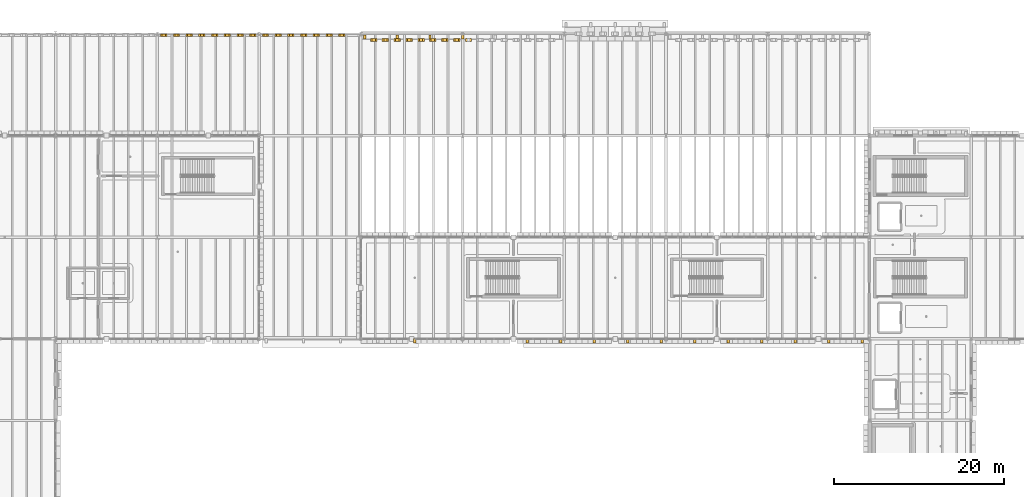
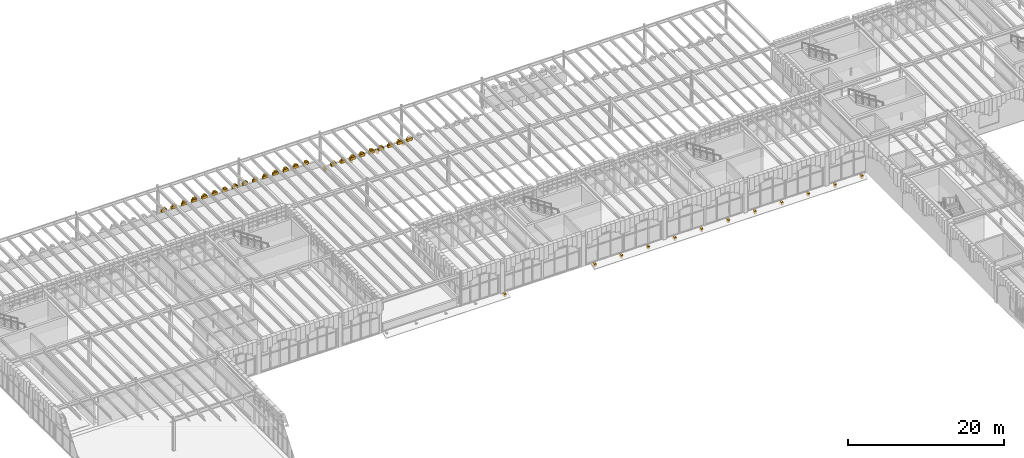
# One storey, part 98 of 100: 63 coverings.
"""IFC4 building model written with IfcOpenShell, lengths in metres."""

from ifc_helpers import new_model, si_unit, direction, frame, origin, place, context, subcontext, project, spatial, polyline, outline, extrude, material, layer, layer_set, type_object, element, save


model = new_model("IFC4")

# Units and contexts
model_context = context("Model", 3, precision=1e-05, world=origin(), true_north=direction((0.0, 1.0)))
body_context = subcontext(model_context, "Body", "Model", "MODEL_VIEW")
ifc_project = project(units=[si_unit("LENGTHUNIT", "METRE"), si_unit("AREAUNIT", "SQUARE_METRE"), si_unit("VOLUMEUNIT", "CUBIC_METRE"), si_unit("PLANEANGLEUNIT", "RADIAN"), si_unit("MASSUNIT", "GRAM", prefix="KILO")], contexts=[model_context])

# Site, building, storey
site_placement = place(None, origin())
site = spatial("IfcSite", under=ifc_project, at=site_placement, CompositionType="ELEMENT")
building_placement = place(site_placement, origin())
building = spatial("IfcBuilding", under=site, at=building_placement, Name="Zlatogorsky Bluff Art Gallery", CompositionType="ELEMENT")
storey_placement = place(building_placement, frame((0.0, 0.0, 5.39990234375)))
storey = spatial("IfcBuildingStorey", under=building, at=storey_placement, Name="L01", CompositionType="ELEMENT", Elevation=5.39990234375)

# Coverings
ifc_material = material(Name="Honed Red Agra-Tone Quartzitic Sandstone", Category="masonry")
ifc_layer = layer(ifc_material, 0.1201171875)
ifc_layer_set = layer_set([ifc_layer], Name="Carved Sandstone Cladding CLD-02")
covering_type = type_object("IfcCoveringType", Name="Carved Sandstone Cladding CLD-02", PredefinedType="CLADDING", material=ifc_layer_set)
covering_1_placement = place(storey_placement, frame((0.0, 0.0, -0.599853515625)))
element("IfcCovering", 1, at=covering_1_placement, inside=storey, type_object=covering_type, Name="Chhajja carved stone corbel CHJ-DALAN-W.1", PredefinedType="CLADDING", context=body_context, shape_type="SweptSolid", body=[
    extrude(outline(polyline([(60.31005859375, 119.360107421875), (60.590087890625, 119.360107421875), (60.590087890625, 119.860107421875), (60.31005859375, 119.860107421875), (60.31005859375, 119.360107421875)])), origin(), (0.0, 0.0, 1.0), 0.47998046875),
])
covering_2_placement = place(storey_placement, frame((0.0, 0.0, -0.599853515625)))
element("IfcCovering", 2, at=covering_2_placement, inside=storey, type_object=covering_type, Name="Chhajja carved stone corbel CHJ-DALAN-W.2", PredefinedType="CLADDING", context=body_context, shape_type="SweptSolid", body=[
    extrude(outline(polyline([(64.159912109375, 119.360107421875), (64.43994140625, 119.360107421875), (64.43994140625, 119.860107421875), (64.159912109375, 119.860107421875), (64.159912109375, 119.360107421875)])), origin(), (0.0, 0.0, 1.0), 0.47998046875),
])
covering_3_placement = place(storey_placement, frame((0.0, 0.0, -0.599853515625)))
element("IfcCovering", 3, at=covering_3_placement, inside=storey, type_object=covering_type, Name="Chhajja carved stone corbel CHJ-DALAN-W.3", PredefinedType="CLADDING", context=body_context, shape_type="SweptSolid", body=[
    extrude(outline(polyline([(68.010009765625, 119.360107421875), (68.2900390625, 119.360107421875), (68.2900390625, 119.860107421875), (68.010009765625, 119.860107421875), (68.010009765625, 119.360107421875)])), origin(), (0.0, 0.0, 1.0), 0.47998046875),
])
covering_4_placement = place(storey_placement, frame((0.0, 0.0, -0.599853515625)))
element("IfcCovering", 4, at=covering_4_placement, inside=storey, type_object=covering_type, Name="Chhajja carved stone corbel CHJ-DALAN-W.4", PredefinedType="CLADDING", context=body_context, shape_type="SweptSolid", body=[
    extrude(outline(polyline([(71.860107421875, 119.360107421875), (72.139892578125, 119.360107421875), (72.139892578125, 119.860107421875), (71.860107421875, 119.860107421875), (71.860107421875, 119.360107421875)])), origin(), (0.0, 0.0, 1.0), 0.47998046875),
])
covering_5_placement = place(storey_placement, frame((0.0, 0.0, -0.010009765625)))
element("IfcCovering", 5, at=covering_5_placement, inside=storey, type_object=covering_type, Name="Kangura stepped merlon base DALAN-W.1", PredefinedType="CLADDING", context=body_context, shape_type="SweptSolid", body=[
    extrude(outline(polyline([(61.1201171875, 119.080078125), (61.8798828125, 119.080078125), (61.8798828125, 119.419921875), (61.1201171875, 119.419921875), (61.1201171875, 119.080078125)])), origin(), (0.0, 0.0, 1.0), 0.41455078125),
])
covering_6_placement = place(storey_placement, frame((0.0, 0.0, 0.385986328125)))
element("IfcCovering", 6, at=covering_6_placement, inside=storey, type_object=covering_type, Name="Kangura pointed merlon finial DALAN-W.1", PredefinedType="CLADDING", context=body_context, shape_type="SweptSolid", body=[
    extrude(outline(polyline([(61.302490234375, 119.080078125), (61.697509765625, 119.080078125), (61.697509765625, 119.419921875), (61.302490234375, 119.419921875), (61.302490234375, 119.080078125)])), origin(), (0.0, 0.0, 1.0), 0.254150390625),
])
covering_7_placement = place(storey_placement, frame((0.0, 0.0, -0.010009765625)))
element("IfcCovering", 7, at=covering_7_placement, inside=storey, type_object=covering_type, Name="Kangura stepped merlon base DALAN-W.2", PredefinedType="CLADDING", context=body_context, shape_type="SweptSolid", body=[
    extrude(outline(polyline([(62.52001953125, 119.080078125), (63.280029296875, 119.080078125), (63.280029296875, 119.419921875), (62.52001953125, 119.419921875), (62.52001953125, 119.080078125)])), origin(), (0.0, 0.0, 1.0), 0.41455078125),
])
covering_8_placement = place(storey_placement, frame((0.0, 0.0, 0.385986328125)))
element("IfcCovering", 8, at=covering_8_placement, inside=storey, type_object=covering_type, Name="Kangura pointed merlon finial DALAN-W.2", PredefinedType="CLADDING", context=body_context, shape_type="SweptSolid", body=[
    extrude(outline(polyline([(62.702392578125, 119.080078125), (63.09765625, 119.080078125), (63.09765625, 119.419921875), (62.702392578125, 119.419921875), (62.702392578125, 119.080078125)])), origin(), (0.0, 0.0, 1.0), 0.254150390625),
])
covering_9_placement = place(storey_placement, frame((0.0, 0.0, -0.010009765625)))
element("IfcCovering", 9, at=covering_9_placement, inside=storey, type_object=covering_type, Name="Kangura stepped merlon base DALAN-W.3", PredefinedType="CLADDING", context=body_context, shape_type="SweptSolid", body=[
    extrude(outline(polyline([(63.919921875, 119.080078125), (64.679931640625, 119.080078125), (64.679931640625, 119.419921875), (63.919921875, 119.419921875), (63.919921875, 119.080078125)])), origin(), (0.0, 0.0, 1.0), 0.41455078125),
])
covering_10_placement = place(storey_placement, frame((0.0, 0.0, 0.385986328125)))
element("IfcCovering", 10, at=covering_10_placement, inside=storey, type_object=covering_type, Name="Kangura pointed merlon finial DALAN-W.3", PredefinedType="CLADDING", context=body_context, shape_type="SweptSolid", body=[
    extrude(outline(polyline([(64.102294921875, 119.080078125), (64.49755859375, 119.080078125), (64.49755859375, 119.419921875), (64.102294921875, 119.419921875), (64.102294921875, 119.080078125)])), origin(), (0.0, 0.0, 1.0), 0.254150390625),
])
covering_11_placement = place(storey_placement, frame((0.0, 0.0, -0.010009765625)))
element("IfcCovering", 11, at=covering_11_placement, inside=storey, type_object=covering_type, Name="Kangura stepped merlon base DALAN-W.4", PredefinedType="CLADDING", context=body_context, shape_type="SweptSolid", body=[
    extrude(outline(polyline([(65.320068359375, 119.080078125), (66.080078125, 119.080078125), (66.080078125, 119.419921875), (65.320068359375, 119.419921875), (65.320068359375, 119.080078125)])), origin(), (0.0, 0.0, 1.0), 0.41455078125),
])
covering_12_placement = place(storey_placement, frame((0.0, 0.0, 0.385986328125)))
element("IfcCovering", 12, at=covering_12_placement, inside=storey, type_object=covering_type, Name="Kangura pointed merlon finial DALAN-W.4", PredefinedType="CLADDING", context=body_context, shape_type="SweptSolid", body=[
    extrude(outline(polyline([(65.50244140625, 119.080078125), (65.897705078125, 119.080078125), (65.897705078125, 119.419921875), (65.50244140625, 119.419921875), (65.50244140625, 119.080078125)])), origin(), (0.0, 0.0, 1.0), 0.254150390625),
])
covering_13_placement = place(storey_placement, frame((0.0, 0.0, -0.010009765625)))
element("IfcCovering", 13, at=covering_13_placement, inside=storey, type_object=covering_type, Name="Kangura stepped merlon base DALAN-W.5", PredefinedType="CLADDING", context=body_context, shape_type="SweptSolid", body=[
    extrude(outline(polyline([(66.719970703125, 119.080078125), (67.47998046875, 119.080078125), (67.47998046875, 119.419921875), (66.719970703125, 119.419921875), (66.719970703125, 119.080078125)])), origin(), (0.0, 0.0, 1.0), 0.41455078125),
])
covering_14_placement = place(storey_placement, frame((0.0, 0.0, 0.385986328125)))
element("IfcCovering", 14, at=covering_14_placement, inside=storey, type_object=covering_type, Name="Kangura pointed merlon finial DALAN-W.5", PredefinedType="CLADDING", context=body_context, shape_type="SweptSolid", body=[
    extrude(outline(polyline([(66.90234375, 119.080078125), (67.297607421875, 119.080078125), (67.297607421875, 119.419921875), (66.90234375, 119.419921875), (66.90234375, 119.080078125)])), origin(), (0.0, 0.0, 1.0), 0.254150390625),
])
covering_15_placement = place(storey_placement, frame((0.0, 0.0, -0.010009765625)))
element("IfcCovering", 15, at=covering_15_placement, inside=storey, type_object=covering_type, Name="Kangura stepped merlon base DALAN-W.6", PredefinedType="CLADDING", context=body_context, shape_type="SweptSolid", body=[
    extrude(outline(polyline([(68.1201171875, 119.080078125), (68.8798828125, 119.080078125), (68.8798828125, 119.419921875), (68.1201171875, 119.419921875), (68.1201171875, 119.080078125)])), origin(), (0.0, 0.0, 1.0), 0.41455078125),
])
covering_16_placement = place(storey_placement, frame((0.0, 0.0, 0.385986328125)))
element("IfcCovering", 16, at=covering_16_placement, inside=storey, type_object=covering_type, Name="Kangura pointed merlon finial DALAN-W.6", PredefinedType="CLADDING", context=body_context, shape_type="SweptSolid", body=[
    extrude(outline(polyline([(68.302490234375, 119.080078125), (68.697509765625, 119.080078125), (68.697509765625, 119.419921875), (68.302490234375, 119.419921875), (68.302490234375, 119.080078125)])), origin(), (0.0, 0.0, 1.0), 0.254150390625),
])
covering_17_placement = place(storey_placement, frame((0.0, 0.0, -0.010009765625)))
element("IfcCovering", 17, at=covering_17_placement, inside=storey, type_object=covering_type, Name="Kangura stepped merlon base DALAN-W.7", PredefinedType="CLADDING", context=body_context, shape_type="SweptSolid", body=[
    extrude(outline(polyline([(69.52001953125, 119.080078125), (70.280029296875, 119.080078125), (70.280029296875, 119.419921875), (69.52001953125, 119.419921875), (69.52001953125, 119.080078125)])), origin(), (0.0, 0.0, 1.0), 0.41455078125),
])
covering_18_placement = place(storey_placement, frame((0.0, 0.0, 0.385986328125)))
element("IfcCovering", 18, at=covering_18_placement, inside=storey, type_object=covering_type, Name="Kangura pointed merlon finial DALAN-W.7", PredefinedType="CLADDING", context=body_context, shape_type="SweptSolid", body=[
    extrude(outline(polyline([(69.702392578125, 119.080078125), (70.09765625, 119.080078125), (70.09765625, 119.419921875), (69.702392578125, 119.419921875), (69.702392578125, 119.080078125)])), origin(), (0.0, 0.0, 1.0), 0.254150390625),
])
covering_19_placement = place(storey_placement, frame((0.0, 0.0, -0.010009765625)))
element("IfcCovering", 19, at=covering_19_placement, inside=storey, type_object=covering_type, Name="Kangura stepped merlon base DALAN-W.8", PredefinedType="CLADDING", context=body_context, shape_type="SweptSolid", body=[
    extrude(outline(polyline([(70.919921875, 119.080078125), (71.679931640625, 119.080078125), (71.679931640625, 119.419921875), (70.919921875, 119.419921875), (70.919921875, 119.080078125)])), origin(), (0.0, 0.0, 1.0), 0.41455078125),
])
covering_20_placement = place(storey_placement, frame((0.0, 0.0, 0.385986328125)))
element("IfcCovering", 20, at=covering_20_placement, inside=storey, type_object=covering_type, Name="Kangura pointed merlon finial DALAN-W.8", PredefinedType="CLADDING", context=body_context, shape_type="SweptSolid", body=[
    extrude(outline(polyline([(71.102294921875, 119.080078125), (71.49755859375, 119.080078125), (71.49755859375, 119.419921875), (71.102294921875, 119.419921875), (71.102294921875, 119.080078125)])), origin(), (0.0, 0.0, 1.0), 0.254150390625),
])
covering_21_placement = place(storey_placement, frame((0.0, 0.0, -0.010009765625)))
element("IfcCovering", 21, at=covering_21_placement, inside=storey, type_object=covering_type, Name="Kangura stepped merlon base DALAN-W.9", PredefinedType="CLADDING", context=body_context, shape_type="SweptSolid", body=[
    extrude(outline(polyline([(72.320068359375, 119.080078125), (73.080078125, 119.080078125), (73.080078125, 119.419921875), (72.320068359375, 119.419921875), (72.320068359375, 119.080078125)])), origin(), (0.0, 0.0, 1.0), 0.41455078125),
])
covering_22_placement = place(storey_placement, frame((0.0, 0.0, -0.599853515625)))
element("IfcCovering", 22, at=covering_22_placement, inside=storey, type_object=covering_type, Name="Chhajja carved stone corbel CHJ-COURT-W-L01.5", PredefinedType="CLADDING", context=body_context, shape_type="SweptSolid", body=[
    extrude(outline(polyline([(66.2099609375, 83.5400390625), (66.489990234375, 83.5400390625), (66.489990234375, 84.0400390625), (66.2099609375, 84.0400390625), (66.2099609375, 83.5400390625)])), origin(), (0.0, 0.0, 1.0), 0.47998046875),
])
covering_23_placement = place(storey_placement, frame((0.0, 0.0, -0.599853515625)))
element("IfcCovering", 23, at=covering_23_placement, inside=storey, type_object=covering_type, Name="Chhajja carved stone corbel CHJ-COURT-E-L01.1", PredefinedType="CLADDING", context=body_context, shape_type="SweptSolid", body=[
    extrude(outline(polyline([(79.510009765625, 83.5400390625), (79.7900390625, 83.5400390625), (79.7900390625, 84.0400390625), (79.510009765625, 84.0400390625), (79.510009765625, 83.5400390625)])), origin(), (0.0, 0.0, 1.0), 0.47998046875),
])
covering_24_placement = place(storey_placement, frame((0.0, 0.0, -0.599853515625)))
element("IfcCovering", 24, at=covering_24_placement, inside=storey, type_object=covering_type, Name="Chhajja carved stone corbel CHJ-COURT-E-L01.2", PredefinedType="CLADDING", context=body_context, shape_type="SweptSolid", body=[
    extrude(outline(polyline([(83.4599609375, 83.5400390625), (83.739990234375, 83.5400390625), (83.739990234375, 84.0400390625), (83.4599609375, 84.0400390625), (83.4599609375, 83.5400390625)])), origin(), (0.0, 0.0, 1.0), 0.47998046875),
])
covering_25_placement = place(storey_placement, frame((0.0, 0.0, -0.599853515625)))
element("IfcCovering", 25, at=covering_25_placement, inside=storey, type_object=covering_type, Name="Chhajja carved stone corbel CHJ-COURT-E-L01.3", PredefinedType="CLADDING", context=body_context, shape_type="SweptSolid", body=[
    extrude(outline(polyline([(87.409912109375, 83.5400390625), (87.68994140625, 83.5400390625), (87.68994140625, 84.0400390625), (87.409912109375, 84.0400390625), (87.409912109375, 83.5400390625)])), origin(), (0.0, 0.0, 1.0), 0.47998046875),
])
covering_26_placement = place(storey_placement, frame((0.0, 0.0, -0.599853515625)))
element("IfcCovering", 26, at=covering_26_placement, inside=storey, type_object=covering_type, Name="Chhajja carved stone corbel CHJ-COURT-E-L01.4", PredefinedType="CLADDING", context=body_context, shape_type="SweptSolid", body=[
    extrude(outline(polyline([(91.360107421875, 83.5400390625), (91.639892578125, 83.5400390625), (91.639892578125, 84.0400390625), (91.360107421875, 84.0400390625), (91.360107421875, 83.5400390625)])), origin(), (0.0, 0.0, 1.0), 0.47998046875),
])
covering_27_placement = place(storey_placement, frame((0.0, 0.0, -0.599853515625)))
element("IfcCovering", 27, at=covering_27_placement, inside=storey, type_object=covering_type, Name="Chhajja carved stone corbel CHJ-COURT-E-L01.5", PredefinedType="CLADDING", context=body_context, shape_type="SweptSolid", body=[
    extrude(outline(polyline([(95.31005859375, 83.5400390625), (95.590087890625, 83.5400390625), (95.590087890625, 84.0400390625), (95.31005859375, 84.0400390625), (95.31005859375, 83.5400390625)])), origin(), (0.0, 0.0, 1.0), 0.47998046875),
])
covering_28_placement = place(storey_placement, frame((0.0, 0.0, -0.599853515625)))
element("IfcCovering", 28, at=covering_28_placement, inside=storey, type_object=covering_type, Name="Chhajja carved stone corbel CHJ-COURT-E-L01.6", PredefinedType="CLADDING", context=body_context, shape_type="SweptSolid", body=[
    extrude(outline(polyline([(99.260009765625, 83.5400390625), (99.5400390625, 83.5400390625), (99.5400390625, 84.0400390625), (99.260009765625, 84.0400390625), (99.260009765625, 83.5400390625)])), origin(), (0.0, 0.0, 1.0), 0.47998046875),
])
covering_29_placement = place(storey_placement, frame((0.0, 0.0, -0.599853515625)))
element("IfcCovering", 29, at=covering_29_placement, inside=storey, type_object=covering_type, Name="Chhajja carved stone corbel CHJ-COURT-E-L01.7", PredefinedType="CLADDING", context=body_context, shape_type="SweptSolid", body=[
    extrude(outline(polyline([(103.2099609375, 83.5400390625), (103.489990234375, 83.5400390625), (103.489990234375, 84.0400390625), (103.2099609375, 84.0400390625), (103.2099609375, 83.5400390625)])), origin(), (0.0, 0.0, 1.0), 0.47998046875),
])
covering_30_placement = place(storey_placement, frame((0.0, 0.0, -0.599853515625)))
element("IfcCovering", 30, at=covering_30_placement, inside=storey, type_object=covering_type, Name="Chhajja carved stone corbel CHJ-COURT-E-L01.8", PredefinedType="CLADDING", context=body_context, shape_type="SweptSolid", body=[
    extrude(outline(polyline([(107.159912109375, 83.5400390625), (107.43994140625, 83.5400390625), (107.43994140625, 84.0400390625), (107.159912109375, 84.0400390625), (107.159912109375, 83.5400390625)])), origin(), (0.0, 0.0, 1.0), 0.47998046875),
])
covering_31_placement = place(storey_placement, frame((0.0, 0.0, -0.599853515625)))
element("IfcCovering", 31, at=covering_31_placement, inside=storey, type_object=covering_type, Name="Chhajja carved stone corbel CHJ-COURT-E-L01.9", PredefinedType="CLADDING", context=body_context, shape_type="SweptSolid", body=[
    extrude(outline(polyline([(111.110107421875, 83.5400390625), (111.389892578125, 83.5400390625), (111.389892578125, 84.0400390625), (111.110107421875, 84.0400390625), (111.110107421875, 83.5400390625)])), origin(), (0.0, 0.0, 1.0), 0.47998046875),
])
covering_32_placement = place(storey_placement, frame((0.0, 0.0, -0.599853515625)))
element("IfcCovering", 32, at=covering_32_placement, inside=storey, type_object=covering_type, Name="Chhajja carved stone corbel CHJ-COURT-E-L01.10", PredefinedType="CLADDING", context=body_context, shape_type="SweptSolid", body=[
    extrude(outline(polyline([(115.06005859375, 83.5400390625), (115.340087890625, 83.5400390625), (115.340087890625, 84.0400390625), (115.06005859375, 84.0400390625), (115.06005859375, 83.5400390625)])), origin(), (0.0, 0.0, 1.0), 0.47998046875),
])
covering_33_placement = place(storey_placement, frame((0.0, 0.0, -0.599853515625)))
element("IfcCovering", 33, at=covering_33_placement, inside=storey, type_object=covering_type, Name="Chhajja carved stone corbel CHJ-COURT-E-L01.11", PredefinedType="CLADDING", context=body_context, shape_type="SweptSolid", body=[
    extrude(outline(polyline([(119.010009765625, 83.5400390625), (119.2900390625, 83.5400390625), (119.2900390625, 84.0400390625), (119.010009765625, 84.0400390625), (119.010009765625, 83.5400390625)])), origin(), (0.0, 0.0, 1.0), 0.47998046875),
])
covering_34_placement = place(storey_placement, frame((0.0, 0.0, 1.1201171875)))
element("IfcCovering", 34, at=covering_34_placement, inside=storey, type_object=covering_type, Name="Kangura stepped merlon base PAR-RF-L01-01-4.24", PredefinedType="CLADDING", context=body_context, shape_type="SweptSolid", body=[
    extrude(outline(polyline([(36.3701171875, 119.699951171875), (37.1298828125, 119.699951171875), (37.1298828125, 119.97998046875), (36.3701171875, 119.97998046875), (36.3701171875, 119.699951171875)])), origin(), (0.0, 0.0, 1.0), 0.3896484375),
])
covering_35_placement = place(storey_placement, frame((0.0, 0.0, 1.4921875)))
element("IfcCovering", 35, at=covering_35_placement, inside=storey, type_object=covering_type, Name="Kangura pointed merlon finial PAR-RF-L01-01-4.24", PredefinedType="CLADDING", context=body_context, shape_type="SweptSolid", body=[
    extrude(outline(polyline([(36.552490234375, 119.699951171875), (36.947509765625, 119.699951171875), (36.947509765625, 119.97998046875), (36.552490234375, 119.97998046875), (36.552490234375, 119.699951171875)])), origin(), (0.0, 0.0, 1.0), 0.23779296875),
])
covering_36_placement = place(storey_placement, frame((0.0, 0.0, 1.1201171875)))
element("IfcCovering", 36, at=covering_36_placement, inside=storey, type_object=covering_type, Name="Kangura stepped merlon base PAR-RF-L01-01-4.25", PredefinedType="CLADDING", context=body_context, shape_type="SweptSolid", body=[
    extrude(outline(polyline([(37.8701171875, 119.699951171875), (38.6298828125, 119.699951171875), (38.6298828125, 119.97998046875), (37.8701171875, 119.97998046875), (37.8701171875, 119.699951171875)])), origin(), (0.0, 0.0, 1.0), 0.3896484375),
])
covering_37_placement = place(storey_placement, frame((0.0, 0.0, 1.4921875)))
element("IfcCovering", 37, at=covering_37_placement, inside=storey, type_object=covering_type, Name="Kangura pointed merlon finial PAR-RF-L01-01-4.25", PredefinedType="CLADDING", context=body_context, shape_type="SweptSolid", body=[
    extrude(outline(polyline([(38.052490234375, 119.699951171875), (38.447509765625, 119.699951171875), (38.447509765625, 119.97998046875), (38.052490234375, 119.97998046875), (38.052490234375, 119.699951171875)])), origin(), (0.0, 0.0, 1.0), 0.23779296875),
])
covering_38_placement = place(storey_placement, frame((0.0, 0.0, 1.1201171875)))
element("IfcCovering", 38, at=covering_38_placement, inside=storey, type_object=covering_type, Name="Kangura stepped merlon base PAR-RF-L01-01-4.26", PredefinedType="CLADDING", context=body_context, shape_type="SweptSolid", body=[
    extrude(outline(polyline([(39.3701171875, 119.699951171875), (40.1298828125, 119.699951171875), (40.1298828125, 119.97998046875), (39.3701171875, 119.97998046875), (39.3701171875, 119.699951171875)])), origin(), (0.0, 0.0, 1.0), 0.3896484375),
])
covering_39_placement = place(storey_placement, frame((0.0, 0.0, 1.4921875)))
element("IfcCovering", 39, at=covering_39_placement, inside=storey, type_object=covering_type, Name="Kangura pointed merlon finial PAR-RF-L01-01-4.26", PredefinedType="CLADDING", context=body_context, shape_type="SweptSolid", body=[
    extrude(outline(polyline([(39.552490234375, 119.699951171875), (39.947509765625, 119.699951171875), (39.947509765625, 119.97998046875), (39.552490234375, 119.97998046875), (39.552490234375, 119.699951171875)])), origin(), (0.0, 0.0, 1.0), 0.23779296875),
])
covering_40_placement = place(storey_placement, frame((0.0, 0.0, 1.1201171875)))
element("IfcCovering", 40, at=covering_40_placement, inside=storey, type_object=covering_type, Name="Kangura stepped merlon base PAR-RF-L01-01-4.27", PredefinedType="CLADDING", context=body_context, shape_type="SweptSolid", body=[
    extrude(outline(polyline([(40.8701171875, 119.699951171875), (41.6298828125, 119.699951171875), (41.6298828125, 119.97998046875), (40.8701171875, 119.97998046875), (40.8701171875, 119.699951171875)])), origin(), (0.0, 0.0, 1.0), 0.3896484375),
])
covering_41_placement = place(storey_placement, frame((0.0, 0.0, 1.4921875)))
element("IfcCovering", 41, at=covering_41_placement, inside=storey, type_object=covering_type, Name="Kangura pointed merlon finial PAR-RF-L01-01-4.27", PredefinedType="CLADDING", context=body_context, shape_type="SweptSolid", body=[
    extrude(outline(polyline([(41.052490234375, 119.699951171875), (41.447509765625, 119.699951171875), (41.447509765625, 119.97998046875), (41.052490234375, 119.97998046875), (41.052490234375, 119.699951171875)])), origin(), (0.0, 0.0, 1.0), 0.23779296875),
])
covering_42_placement = place(storey_placement, frame((0.0, 0.0, 1.1201171875)))
element("IfcCovering", 42, at=covering_42_placement, inside=storey, type_object=covering_type, Name="Kangura stepped merlon base PAR-RF-L01-01-4.28", PredefinedType="CLADDING", context=body_context, shape_type="SweptSolid", body=[
    extrude(outline(polyline([(42.3701171875, 119.699951171875), (43.1298828125, 119.699951171875), (43.1298828125, 119.97998046875), (42.3701171875, 119.97998046875), (42.3701171875, 119.699951171875)])), origin(), (0.0, 0.0, 1.0), 0.3896484375),
])
covering_43_placement = place(storey_placement, frame((0.0, 0.0, 1.4921875)))
element("IfcCovering", 43, at=covering_43_placement, inside=storey, type_object=covering_type, Name="Kangura pointed merlon finial PAR-RF-L01-01-4.28", PredefinedType="CLADDING", context=body_context, shape_type="SweptSolid", body=[
    extrude(outline(polyline([(42.552490234375, 119.699951171875), (42.947509765625, 119.699951171875), (42.947509765625, 119.97998046875), (42.552490234375, 119.97998046875), (42.552490234375, 119.699951171875)])), origin(), (0.0, 0.0, 1.0), 0.23779296875),
])
covering_44_placement = place(storey_placement, frame((0.0, 0.0, 1.1201171875)))
element("IfcCovering", 44, at=covering_44_placement, inside=storey, type_object=covering_type, Name="Kangura stepped merlon base PAR-RF-L01-01-4.29", PredefinedType="CLADDING", context=body_context, shape_type="SweptSolid", body=[
    extrude(outline(polyline([(43.8701171875, 119.699951171875), (44.6298828125, 119.699951171875), (44.6298828125, 119.97998046875), (43.8701171875, 119.97998046875), (43.8701171875, 119.699951171875)])), origin(), (0.0, 0.0, 1.0), 0.3896484375),
])
covering_45_placement = place(storey_placement, frame((0.0, 0.0, 1.4921875)))
element("IfcCovering", 45, at=covering_45_placement, inside=storey, type_object=covering_type, Name="Kangura pointed merlon finial PAR-RF-L01-01-4.29", PredefinedType="CLADDING", context=body_context, shape_type="SweptSolid", body=[
    extrude(outline(polyline([(44.052490234375, 119.699951171875), (44.447509765625, 119.699951171875), (44.447509765625, 119.97998046875), (44.052490234375, 119.97998046875), (44.052490234375, 119.699951171875)])), origin(), (0.0, 0.0, 1.0), 0.23779296875),
])
covering_46_placement = place(storey_placement, frame((0.0, 0.0, 1.1201171875)))
element("IfcCovering", 46, at=covering_46_placement, inside=storey, type_object=covering_type, Name="Kangura stepped merlon base PAR-RF-L01-01-4.30", PredefinedType="CLADDING", context=body_context, shape_type="SweptSolid", body=[
    extrude(outline(polyline([(45.3701171875, 119.699951171875), (46.1298828125, 119.699951171875), (46.1298828125, 119.97998046875), (45.3701171875, 119.97998046875), (45.3701171875, 119.699951171875)])), origin(), (0.0, 0.0, 1.0), 0.3896484375),
])
covering_47_placement = place(storey_placement, frame((0.0, 0.0, 1.4921875)))
element("IfcCovering", 47, at=covering_47_placement, inside=storey, type_object=covering_type, Name="Kangura pointed merlon finial PAR-RF-L01-01-4.30", PredefinedType="CLADDING", context=body_context, shape_type="SweptSolid", body=[
    extrude(outline(polyline([(45.552490234375, 119.699951171875), (45.947509765625, 119.699951171875), (45.947509765625, 119.97998046875), (45.552490234375, 119.97998046875), (45.552490234375, 119.699951171875)])), origin(), (0.0, 0.0, 1.0), 0.23779296875),
])
covering_48_placement = place(storey_placement, frame((0.0, 0.0, 1.1201171875)))
element("IfcCovering", 48, at=covering_48_placement, inside=storey, type_object=covering_type, Name="Kangura stepped merlon base PAR-RF-L01-01-4.31", PredefinedType="CLADDING", context=body_context, shape_type="SweptSolid", body=[
    extrude(outline(polyline([(46.8701171875, 119.699951171875), (47.6298828125, 119.699951171875), (47.6298828125, 119.97998046875), (46.8701171875, 119.97998046875), (46.8701171875, 119.699951171875)])), origin(), (0.0, 0.0, 1.0), 0.3896484375),
])
covering_49_placement = place(storey_placement, frame((0.0, 0.0, 1.4921875)))
element("IfcCovering", 49, at=covering_49_placement, inside=storey, type_object=covering_type, Name="Kangura pointed merlon finial PAR-RF-L01-01-4.31", PredefinedType="CLADDING", context=body_context, shape_type="SweptSolid", body=[
    extrude(outline(polyline([(47.052490234375, 119.699951171875), (47.447509765625, 119.699951171875), (47.447509765625, 119.97998046875), (47.052490234375, 119.97998046875), (47.052490234375, 119.699951171875)])), origin(), (0.0, 0.0, 1.0), 0.23779296875),
])
covering_50_placement = place(storey_placement, frame((0.0, 0.0, 1.1201171875)))
element("IfcCovering", 50, at=covering_50_placement, inside=storey, type_object=covering_type, Name="Kangura stepped merlon base PAR-RF-L01-01-4.32", PredefinedType="CLADDING", context=body_context, shape_type="SweptSolid", body=[
    extrude(outline(polyline([(48.3701171875, 119.699951171875), (49.1298828125, 119.699951171875), (49.1298828125, 119.97998046875), (48.3701171875, 119.97998046875), (48.3701171875, 119.699951171875)])), origin(), (0.0, 0.0, 1.0), 0.3896484375),
])
covering_51_placement = place(storey_placement, frame((0.0, 0.0, 1.4921875)))
element("IfcCovering", 51, at=covering_51_placement, inside=storey, type_object=covering_type, Name="Kangura pointed merlon finial PAR-RF-L01-01-4.32", PredefinedType="CLADDING", context=body_context, shape_type="SweptSolid", body=[
    extrude(outline(polyline([(48.552490234375, 119.699951171875), (48.947509765625, 119.699951171875), (48.947509765625, 119.97998046875), (48.552490234375, 119.97998046875), (48.552490234375, 119.699951171875)])), origin(), (0.0, 0.0, 1.0), 0.23779296875),
])
covering_52_placement = place(storey_placement, frame((0.0, 0.0, 1.1201171875)))
element("IfcCovering", 52, at=covering_52_placement, inside=storey, type_object=covering_type, Name="Kangura stepped merlon base PAR-RF-L01-01-4.33", PredefinedType="CLADDING", context=body_context, shape_type="SweptSolid", body=[
    extrude(outline(polyline([(49.8701171875, 119.699951171875), (50.6298828125, 119.699951171875), (50.6298828125, 119.97998046875), (49.8701171875, 119.97998046875), (49.8701171875, 119.699951171875)])), origin(), (0.0, 0.0, 1.0), 0.3896484375),
])
covering_53_placement = place(storey_placement, frame((0.0, 0.0, 1.4921875)))
element("IfcCovering", 53, at=covering_53_placement, inside=storey, type_object=covering_type, Name="Kangura pointed merlon finial PAR-RF-L01-01-4.33", PredefinedType="CLADDING", context=body_context, shape_type="SweptSolid", body=[
    extrude(outline(polyline([(50.052490234375, 119.699951171875), (50.447509765625, 119.699951171875), (50.447509765625, 119.97998046875), (50.052490234375, 119.97998046875), (50.052490234375, 119.699951171875)])), origin(), (0.0, 0.0, 1.0), 0.23779296875),
])
covering_54_placement = place(storey_placement, frame((0.0, 0.0, 1.1201171875)))
element("IfcCovering", 54, at=covering_54_placement, inside=storey, type_object=covering_type, Name="Kangura stepped merlon base PAR-RF-L01-01-4.34", PredefinedType="CLADDING", context=body_context, shape_type="SweptSolid", body=[
    extrude(outline(polyline([(51.3701171875, 119.699951171875), (52.1298828125, 119.699951171875), (52.1298828125, 119.97998046875), (51.3701171875, 119.97998046875), (51.3701171875, 119.699951171875)])), origin(), (0.0, 0.0, 1.0), 0.3896484375),
])
covering_55_placement = place(storey_placement, frame((0.0, 0.0, 1.4921875)))
element("IfcCovering", 55, at=covering_55_placement, inside=storey, type_object=covering_type, Name="Kangura pointed merlon finial PAR-RF-L01-01-4.34", PredefinedType="CLADDING", context=body_context, shape_type="SweptSolid", body=[
    extrude(outline(polyline([(51.552490234375, 119.699951171875), (51.947509765625, 119.699951171875), (51.947509765625, 119.97998046875), (51.552490234375, 119.97998046875), (51.552490234375, 119.699951171875)])), origin(), (0.0, 0.0, 1.0), 0.23779296875),
])
covering_56_placement = place(storey_placement, frame((0.0, 0.0, 1.1201171875)))
element("IfcCovering", 56, at=covering_56_placement, inside=storey, type_object=covering_type, Name="Kangura stepped merlon base PAR-RF-L01-01-4.35", PredefinedType="CLADDING", context=body_context, shape_type="SweptSolid", body=[
    extrude(outline(polyline([(52.8701171875, 119.699951171875), (53.6298828125, 119.699951171875), (53.6298828125, 119.97998046875), (52.8701171875, 119.97998046875), (52.8701171875, 119.699951171875)])), origin(), (0.0, 0.0, 1.0), 0.3896484375),
])
covering_57_placement = place(storey_placement, frame((0.0, 0.0, 1.4921875)))
element("IfcCovering", 57, at=covering_57_placement, inside=storey, type_object=covering_type, Name="Kangura pointed merlon finial PAR-RF-L01-01-4.35", PredefinedType="CLADDING", context=body_context, shape_type="SweptSolid", body=[
    extrude(outline(polyline([(53.052490234375, 119.699951171875), (53.447509765625, 119.699951171875), (53.447509765625, 119.97998046875), (53.052490234375, 119.97998046875), (53.052490234375, 119.699951171875)])), origin(), (0.0, 0.0, 1.0), 0.23779296875),
])
covering_58_placement = place(storey_placement, frame((0.0, 0.0, 1.1201171875)))
element("IfcCovering", 58, at=covering_58_placement, inside=storey, type_object=covering_type, Name="Kangura stepped merlon base PAR-RF-L01-01-4.36", PredefinedType="CLADDING", context=body_context, shape_type="SweptSolid", body=[
    extrude(outline(polyline([(54.3701171875, 119.699951171875), (55.1298828125, 119.699951171875), (55.1298828125, 119.97998046875), (54.3701171875, 119.97998046875), (54.3701171875, 119.699951171875)])), origin(), (0.0, 0.0, 1.0), 0.3896484375),
])
covering_59_placement = place(storey_placement, frame((0.0, 0.0, 1.4921875)))
element("IfcCovering", 59, at=covering_59_placement, inside=storey, type_object=covering_type, Name="Kangura pointed merlon finial PAR-RF-L01-01-4.36", PredefinedType="CLADDING", context=body_context, shape_type="SweptSolid", body=[
    extrude(outline(polyline([(54.552490234375, 119.699951171875), (54.947509765625, 119.699951171875), (54.947509765625, 119.97998046875), (54.552490234375, 119.97998046875), (54.552490234375, 119.699951171875)])), origin(), (0.0, 0.0, 1.0), 0.23779296875),
])
covering_60_placement = place(storey_placement, frame((0.0, 0.0, 1.1201171875)))
element("IfcCovering", 60, at=covering_60_placement, inside=storey, type_object=covering_type, Name="Kangura stepped merlon base PAR-RF-L01-01-4.37", PredefinedType="CLADDING", context=body_context, shape_type="SweptSolid", body=[
    extrude(outline(polyline([(55.8701171875, 119.699951171875), (56.6298828125, 119.699951171875), (56.6298828125, 119.97998046875), (55.8701171875, 119.97998046875), (55.8701171875, 119.699951171875)])), origin(), (0.0, 0.0, 1.0), 0.3896484375),
])
covering_61_placement = place(storey_placement, frame((0.0, 0.0, 1.4921875)))
element("IfcCovering", 61, at=covering_61_placement, inside=storey, type_object=covering_type, Name="Kangura pointed merlon finial PAR-RF-L01-01-4.37", PredefinedType="CLADDING", context=body_context, shape_type="SweptSolid", body=[
    extrude(outline(polyline([(56.052490234375, 119.699951171875), (56.447509765625, 119.699951171875), (56.447509765625, 119.97998046875), (56.052490234375, 119.97998046875), (56.052490234375, 119.699951171875)])), origin(), (0.0, 0.0, 1.0), 0.23779296875),
])
covering_62_placement = place(storey_placement, frame((0.0, 0.0, 1.1201171875)))
element("IfcCovering", 62, at=covering_62_placement, inside=storey, type_object=covering_type, Name="Kangura stepped merlon base PAR-RF-L01-01-4.38", PredefinedType="CLADDING", context=body_context, shape_type="SweptSolid", body=[
    extrude(outline(polyline([(57.3701171875, 119.699951171875), (58.1298828125, 119.699951171875), (58.1298828125, 119.97998046875), (57.3701171875, 119.97998046875), (57.3701171875, 119.699951171875)])), origin(), (0.0, 0.0, 1.0), 0.3896484375),
])
covering_63_placement = place(storey_placement, frame((0.0, 0.0, 1.4921875)))
element("IfcCovering", 63, at=covering_63_placement, inside=storey, type_object=covering_type, Name="Kangura pointed merlon finial PAR-RF-L01-01-4.38", PredefinedType="CLADDING", context=body_context, shape_type="SweptSolid", body=[
    extrude(outline(polyline([(57.552490234375, 119.699951171875), (57.947509765625, 119.699951171875), (57.947509765625, 119.97998046875), (57.552490234375, 119.97998046875), (57.552490234375, 119.699951171875)])), origin(), (0.0, 0.0, 1.0), 0.23779296875),
])

save(model, "model.ifc")
